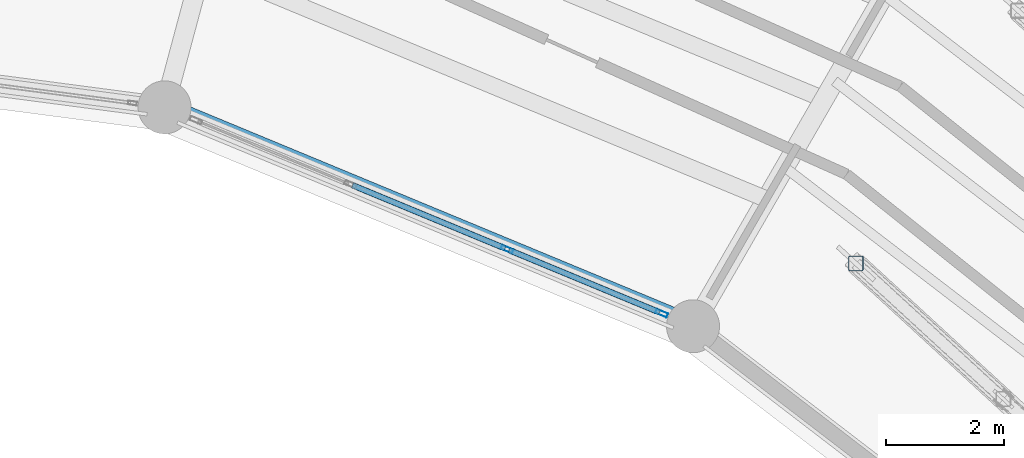
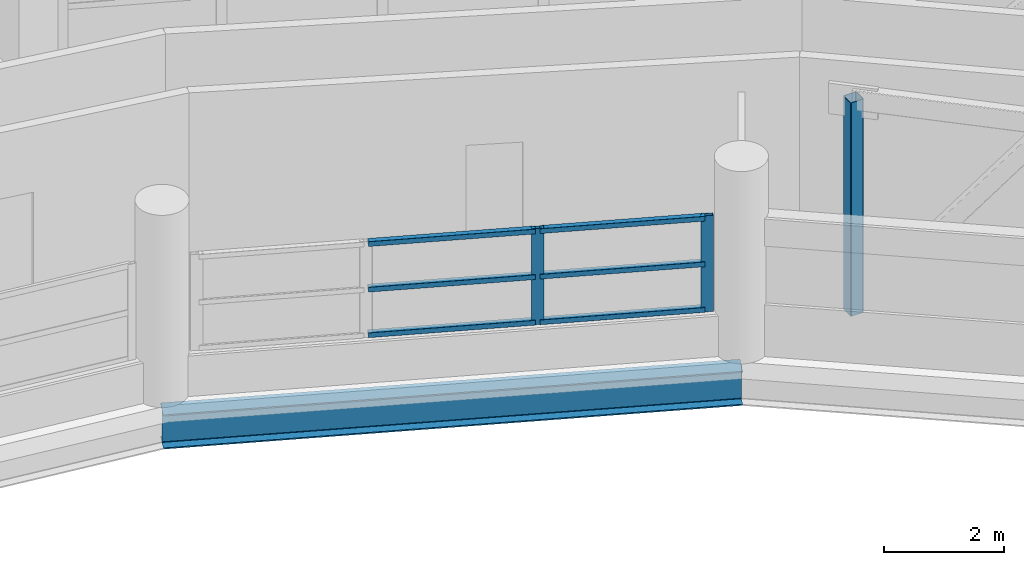
# One storey, part 49 of 121: 9 members, 1 beam, 1 element without a shape of its own.
"""IFC4 building model written with IfcOpenShell, lengths in metres."""

from ifc_helpers import new_model, si_unit, direction, frame, origin, origin_2d, place, context, subcontext, project, spatial, hollow_rectangle, i_section, extrude, material, layer, layer_set, material_profile, profile_set, type_object, element, aggregate, save


model = new_model("IFC4")

# Units and contexts
model_context = context("Model", 3, precision=1e-05, world=origin(), true_north=direction((0.0, 1.0)))
body_context = subcontext(model_context, "Body", "Model", "MODEL_VIEW")
ifc_project = project(units=[si_unit("LENGTHUNIT", "METRE"), si_unit("AREAUNIT", "SQUARE_METRE"), si_unit("VOLUMEUNIT", "CUBIC_METRE"), si_unit("PLANEANGLEUNIT", "RADIAN"), si_unit("MASSUNIT", "GRAM", prefix="KILO")], contexts=[model_context])

# Site, building, storey
site_placement = place(None, origin())
site = spatial("IfcSite", under=ifc_project, at=site_placement, CompositionType="ELEMENT")
building_placement = place(site_placement, origin())
building = spatial("IfcBuilding", under=site, at=building_placement, Name="Vespera Passage Community Centre", CompositionType="ELEMENT")
storey_placement = place(building_placement, frame((0.0, 0.0, 8.699951171875)))
storey = spatial("IfcBuildingStorey", under=building, at=storey_placement, Name="L02", CompositionType="ELEMENT", Elevation=8.699951171875)

# Beam
ifc_material_1 = material(Name="Steel ASTM A992 Grade 50", Category="steel")
ifc_material_profile_1 = material_profile(ifc_material_1, i_section(OverallWidth=0.3544921875, OverallDepth=0.695556640625, WebThickness=0.015380859375, FlangeThickness=0.024658203125, FilletRadius=0.01513671875, at=origin_2d()), Name="W27X146")
ifc_profile_set_1 = profile_set([ifc_material_profile_1], Name="Steel ASTM A992 Grade 50")
beam_type = type_object("IfcBeamType", Name="BM-SP-W27X146E", PredefinedType="SPANDREL", material=ifc_profile_set_1)
beam_placement = place(storey_placement, frame((96.60009765625, 97.716064453125, -0.687744140625), z_axis=(-0.923878947685, 0.382684844258, 0.0), x_axis=(-0.382684844258, -0.923878947685, 0.0)))
element("IfcBeam", 1, at=beam_placement, inside=storey, type_object=beam_type, Name="V4 L02 Inner Spandrel 4", PredefinedType="SPANDREL", context=body_context, shape_type="SweptSolid", body=[
    extrude(i_section(OverallWidth=0.3544921875, OverallDepth=0.695556640625, WebThickness=0.015380859375, FlangeThickness=0.024658203125, FilletRadius=0.01513671875, at=origin_2d()), origin(), (0.0, 0.0, 1.0), 9.711181640625),
])

# Curtain wall, members
ifc_material_2 = material(Name="Anodized aluminium 6063-T6", Category="aluminium")
ifc_layer = layer(ifc_material_2, 0.159912109375)
ifc_layer_set = layer_set([ifc_layer], Name="Anodized aluminium 6063-T6")
curtain_wall_type = type_object("IfcCurtainWallType", Name="CW-25E", PredefinedType="NOTDEFINED", material=ifc_layer_set)
curtain_wall_placement = place(storey_placement, origin())
curtain_wall = element("IfcCurtainWall", 2, at=curtain_wall_placement, inside=storey, type_object=curtain_wall_type, Name="V4 L02 Inner Court Curtain Wall 4", PredefinedType="NOTDEFINED")
ifc_material_3 = material(Name="Anodized aluminium 6063-T6", Category="aluminium")
ifc_material_profile_2 = material_profile(ifc_material_3, hollow_rectangle(XDim=0.074951171875, YDim=0.2099609375, WallThickness=0.0048828125, InnerFilletRadius=0.00244140625, OuterFilletRadius=0.0048828125, at=origin_2d()), Name="ALU210X75X5")
ifc_profile_set_2 = profile_set([ifc_material_profile_2], Name="Anodized aluminium 6063-T6")
member_type_1 = type_object("IfcMemberType", Name="MB-CWM-210E", PredefinedType="MULLION", material=ifc_profile_set_2)
member_1_placement = place(storey_placement, frame((96.066650390625, 97.93701171875, 0.820068359375), z_axis=(0.0, 0.0, 1.0), x_axis=(-0.382690463482, -0.923876620096, 0.0)))
member_1 = element("IfcMember", 3, at=member_1_placement, type_object=member_type_1, Name="CW-25E mullion 1", PredefinedType="MULLION", context=body_context, shape_type="SweptSolid", body=[
    extrude(hollow_rectangle(XDim=0.074951171875, YDim=0.2099609375, WallThickness=0.0048828125, InnerFilletRadius=0.00244140625, OuterFilletRadius=0.0048828125, at=origin_2d()), origin(), (0.0, 0.0, 1.0), 1.949462890625),
])
member_2_placement = place(storey_placement, frame((93.443115234375, 99.023681640625, 0.820068359375), z_axis=(0.0, 0.0, 1.0), x_axis=(-0.382690463482, -0.923876620096, 0.0)))
member_2 = element("IfcMember", 4, at=member_2_placement, type_object=member_type_1, Name="CW-25E mullion 2", PredefinedType="MULLION", context=body_context, shape_type="SweptSolid", body=[
    extrude(hollow_rectangle(XDim=0.074951171875, YDim=0.2099609375, WallThickness=0.0048828125, InnerFilletRadius=0.00244140625, OuterFilletRadius=0.0048828125, at=origin_2d()), origin(), (0.0, 0.0, 1.0), 1.949462890625),
])
ifc_material_4 = material(Name="Anodized aluminium 6063-T6", Category="aluminium")
ifc_material_profile_3 = material_profile(ifc_material_4, hollow_rectangle(XDim=0.10009765625, YDim=0.10009765625, WallThickness=0.00390625, InnerFilletRadius=0.001953125, OuterFilletRadius=0.00390625, at=origin_2d()), Name="ALU100X100X4")
ifc_profile_set_3 = profile_set([ifc_material_profile_3], Name="Anodized aluminium 6063-T6")
member_type_2 = type_object("IfcMemberType", Name="MB-CWT-100E", PredefinedType="USERDEFINED", material=ifc_profile_set_3)
member_3_placement = place(storey_placement, frame((96.0322265625, 97.951416015625, 0.8701171875), z_axis=(-0.923908142805, 0.382614353701, 0.0), x_axis=(-0.382614353701, -0.923908142805, 0.0)))
member_3 = element("IfcMember", 5, at=member_3_placement, type_object=member_type_2, Name="CW-25E transom 1.1", ObjectType="TRANSOM", PredefinedType="USERDEFINED", context=body_context, shape_type="SweptSolid", body=[
    extrude(hollow_rectangle(XDim=0.10009765625, YDim=0.10009765625, WallThickness=0.00390625, InnerFilletRadius=0.001953125, OuterFilletRadius=0.00390625, at=origin_2d()), origin(), (0.0, 0.0, 1.0), 2.764892578125),
])
member_4_placement = place(storey_placement, frame((96.0322265625, 97.951416015625, 1.794677734375), z_axis=(-0.923908142805, 0.382614353701, 0.0), x_axis=(-0.382614353701, -0.923908142805, 0.0)))
member_4 = element("IfcMember", 6, at=member_4_placement, type_object=member_type_2, Name="CW-25E transom 1.2", ObjectType="TRANSOM", PredefinedType="USERDEFINED", context=body_context, shape_type="SweptSolid", body=[
    extrude(hollow_rectangle(XDim=0.10009765625, YDim=0.10009765625, WallThickness=0.00390625, InnerFilletRadius=0.001953125, OuterFilletRadius=0.00390625, at=origin_2d()), origin(), (0.0, 0.0, 1.0), 2.764892578125),
])
member_5_placement = place(storey_placement, frame((96.0322265625, 97.951416015625, 2.719482421875), z_axis=(-0.923908142805, 0.382614353701, 0.0), x_axis=(-0.382614353701, -0.923908142805, 0.0)))
member_5 = element("IfcMember", 7, at=member_5_placement, type_object=member_type_2, Name="CW-25E transom 1.3", ObjectType="TRANSOM", PredefinedType="USERDEFINED", context=body_context, shape_type="SweptSolid", body=[
    extrude(hollow_rectangle(XDim=0.10009765625, YDim=0.10009765625, WallThickness=0.00390625, InnerFilletRadius=0.001953125, OuterFilletRadius=0.00390625, at=origin_2d()), origin(), (0.0, 0.0, 1.0), 2.764892578125),
])
member_6_placement = place(storey_placement, frame((93.408447265625, 99.0380859375, 0.8701171875), z_axis=(-0.923889408399, 0.382659588994, 0.0), x_axis=(-0.382659588994, -0.923889408399, 0.0)))
member_6 = element("IfcMember", 8, at=member_6_placement, type_object=member_type_2, Name="CW-25E transom 2.1", ObjectType="TRANSOM", PredefinedType="USERDEFINED", context=body_context, shape_type="SweptSolid", body=[
    extrude(hollow_rectangle(XDim=0.10009765625, YDim=0.10009765625, WallThickness=0.00390625, InnerFilletRadius=0.001953125, OuterFilletRadius=0.00390625, at=origin_2d()), origin(), (0.0, 0.0, 1.0), 2.80224609375),
])
member_7_placement = place(storey_placement, frame((93.408447265625, 99.0380859375, 1.794677734375), z_axis=(-0.923889408399, 0.382659588994, 0.0), x_axis=(-0.382659588994, -0.923889408399, 0.0)))
member_7 = element("IfcMember", 9, at=member_7_placement, type_object=member_type_2, Name="CW-25E transom 2.2", ObjectType="TRANSOM", PredefinedType="USERDEFINED", context=body_context, shape_type="SweptSolid", body=[
    extrude(hollow_rectangle(XDim=0.10009765625, YDim=0.10009765625, WallThickness=0.00390625, InnerFilletRadius=0.001953125, OuterFilletRadius=0.00390625, at=origin_2d()), origin(), (0.0, 0.0, 1.0), 2.80224609375),
])
member_8_placement = place(storey_placement, frame((93.408447265625, 99.0380859375, 2.719482421875), z_axis=(-0.923889408399, 0.382659588994, 0.0), x_axis=(-0.382659588994, -0.923889408399, 0.0)))
member_8 = element("IfcMember", 10, at=member_8_placement, type_object=member_type_2, Name="CW-25E transom 2.3", ObjectType="TRANSOM", PredefinedType="USERDEFINED", context=body_context, shape_type="SweptSolid", body=[
    extrude(hollow_rectangle(XDim=0.10009765625, YDim=0.10009765625, WallThickness=0.00390625, InnerFilletRadius=0.001953125, OuterFilletRadius=0.00390625, at=origin_2d()), origin(), (0.0, 0.0, 1.0), 2.80224609375),
])
aggregate(curtain_wall, [member_1, member_2, member_3, member_4, member_5, member_6, member_7, member_8])

# Member
ifc_material_5 = material(Name="Steel ASTM A500 Grade C", Category="steel")
ifc_material_profile_4 = material_profile(ifc_material_5, hollow_rectangle(XDim=0.25390625, YDim=0.25390625, WallThickness=0.01171875, InnerFilletRadius=0.01171875, OuterFilletRadius=0.023681640625, at=origin_2d()), Name="HSS254X254X12.7")
ifc_profile_set_4 = profile_set([ifc_material_profile_4], Name="Steel ASTM A500 Grade C")
member_type_3 = type_object("IfcMemberType", Name="TP-254", PredefinedType="POST", material=ifc_profile_set_4)
member_9_placement = place(storey_placement, frame((99.366455078125, 98.78173828125, -0.849853515625), z_axis=(0.0, 0.0, 1.0), x_axis=(1.0, 0.0, 0.0)))
element("IfcMember", 11, at=member_9_placement, inside=storey, type_object=member_type_3, Name="Truss TR7I Vertical Post 5", PredefinedType="POST", context=body_context, shape_type="SweptSolid", body=[
    extrude(hollow_rectangle(XDim=0.25390625, YDim=0.25390625, WallThickness=0.01171875, InnerFilletRadius=0.01171875, OuterFilletRadius=0.023681640625, at=origin_2d()), origin(), (0.0, 0.0, 1.0), 4.329833984375),
])

save(model, "model.ifc")
